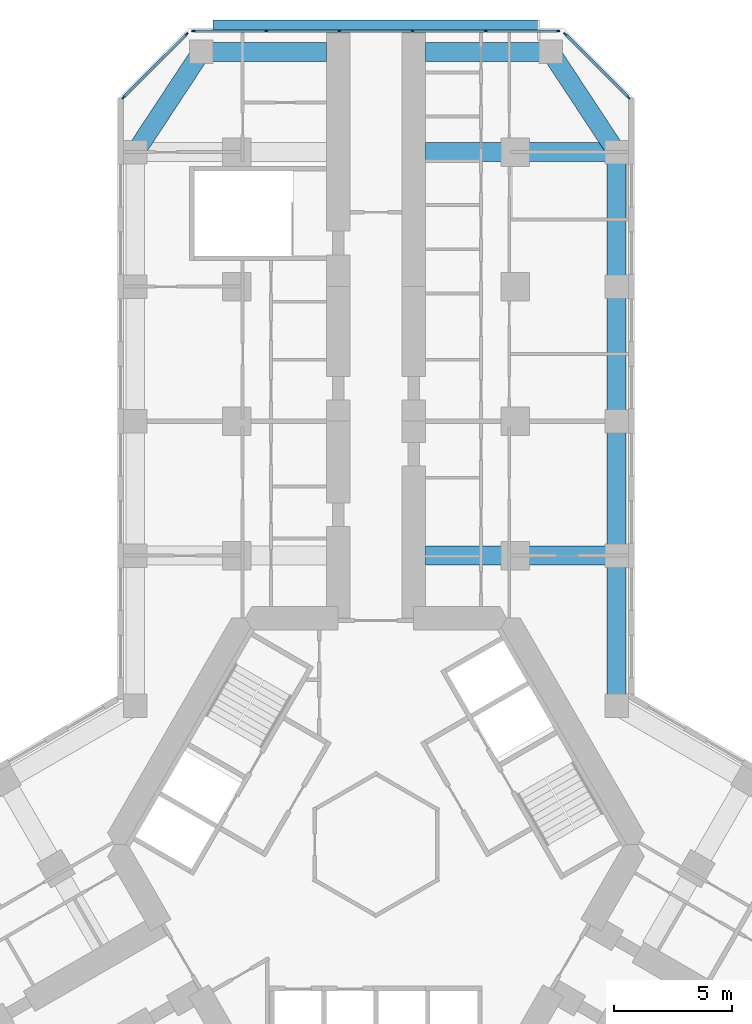
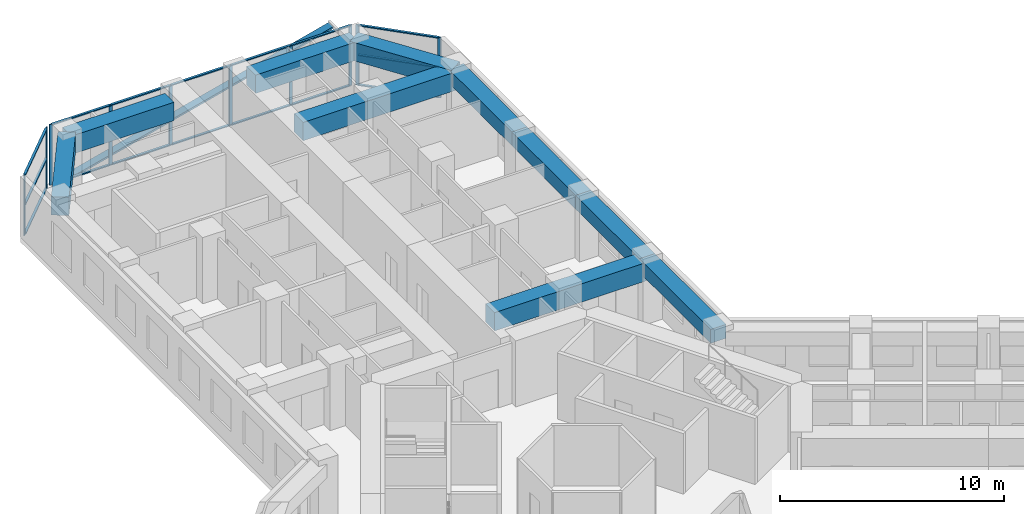
# One storey, part 7 of 21: 27 members, 10 beams, 3 elements without a shape of their own.
"""IFC4 building model written with IfcOpenShell, lengths in metres."""

from ifc_helpers import new_model, si_unit, direction, frame, origin, origin_2d, place, context, subcontext, project, spatial, rectangle, extrude, material, material_profile, profile_set, type_object, element, aggregate, save


model = new_model("IFC4")

# Units and contexts
model_context = context("Model", 3, precision=1e-05, world=origin(), true_north=direction((0.0, 1.0)))
body_context = subcontext(model_context, "Body", "Model", "MODEL_VIEW")
ifc_project = project(units=[si_unit("LENGTHUNIT", "METRE"), si_unit("AREAUNIT", "SQUARE_METRE"), si_unit("VOLUMEUNIT", "CUBIC_METRE"), si_unit("PLANEANGLEUNIT", "RADIAN"), si_unit("MASSUNIT", "GRAM", prefix="KILO")], contexts=[model_context])

# Site, building, storey
site_placement = place(None, origin())
site = spatial("IfcSite", under=ifc_project, at=site_placement, CompositionType="ELEMENT")
building_placement = place(site_placement, origin())
building = spatial("IfcBuilding", under=site, at=building_placement, Name="Kosmar Iwan School Tower", CompositionType="ELEMENT")
storey_placement = place(building_placement, frame((0.0, 0.0, 109.60009765625)))
storey = spatial("IfcBuildingStorey", under=building, at=storey_placement, Name="L27", CompositionType="ELEMENT", Elevation=109.60009765625)

# Beams
ifc_material_1 = material(Name="Concrete C50/60", Category="concrete")
ifc_material_profile_1 = material_profile(ifc_material_1, rectangle(XDim=0.800048828125, YDim=0.75, at=origin_2d()), Name="RC 800x750 + HD 400x634")
ifc_profile_set_1 = profile_set([ifc_material_profile_1], Name="Concrete C50/60")
beam_type_1 = type_object("IfcBeamType", Name="Composite edge beam 800x750 HD 400x634", PredefinedType="BEAM", material=ifc_profile_set_1)
beam_1_placement = place(storey_placement, frame((10.199951171875, 5.888916015625, 2.9248046875), z_axis=(0.0, 1.0, 0.0), x_axis=(-1.0, 0.0, 0.0)))
element("IfcBeam", 1, at=beam_1_placement, inside=storey, type_object=beam_type_1, Name="Edge beam AR1", PredefinedType="BEAM", context=body_context, shape_type="SweptSolid", body=[
    extrude(rectangle(XDim=0.800048828125, YDim=0.75, at=origin_2d()), origin(), (0.0, 0.0, 1.0), 6.361083984375),
])
for number, where, z_axis, x_axis, name in (
    (2, (10.199951171875, 12.25, 2.9248046875), (0.0, 1.0, 0.0), (-1.0, 0.0, 0.0), "Edge beam AR2"),
    (3, (10.199951171875, 17.949951171875, 2.9248046875), (0.0, 1.0, 0.0), (-1.0, 0.0, 0.0), "Edge beam AR3"),
):
    element("IfcBeam", number, at=place(storey_placement, frame(where, z_axis=z_axis, x_axis=x_axis)), inside=storey, type_object=beam_type_1, Name=name, PredefinedType="BEAM", context=body_context, shape_type="SweptSolid", body=[
        extrude(rectangle(XDim=0.800048828125, YDim=0.75, at=origin_2d()), origin(), (0.0, 0.0, 1.0), 5.699951171875),
    ])
beam_2_placement = place(storey_placement, frame((10.199951171875, 23.64990234375, 2.9248046875), z_axis=(0.0, 1.0, 0.0), x_axis=(-1.0, 0.0, 0.0)))
element("IfcBeam", 4, at=beam_2_placement, inside=storey, type_object=beam_type_1, Name="Edge beam AR4", PredefinedType="BEAM", context=body_context, shape_type="SweptSolid", body=[
    extrude(rectangle(XDim=0.800048828125, YDim=0.75, at=origin_2d()), origin(), (0.0, 0.0, 1.0), 5.7001953125),
])
ifc_material_2 = material(Name="Concrete C50/60", Category="concrete")
ifc_material_profile_2 = material_profile(ifc_material_2, rectangle(XDim=0.800048828125, YDim=1.0, at=origin_2d()), Name="RC 800x1000 + HD 400x347")
ifc_profile_set_2 = profile_set([ifc_material_profile_2], Name="Concrete C50/60")
beam_type_2 = type_object("IfcBeamType", Name="Composite tip beam 800x1000 HD 400x347", PredefinedType="BEAM", material=ifc_profile_set_2)
beam_3_placement = place(storey_placement, frame((-10.199951171875, 29.35009765625, 2.7998046875), z_axis=(0.550164383043, 0.835056376319, 0.0), x_axis=(-0.835056376319, 0.550164383043, 0.0)))
element("IfcBeam", 5, at=beam_3_placement, inside=storey, type_object=beam_type_2, Name="Tip beam AL", PredefinedType="BEAM", context=body_context, shape_type="SweptSolid", body=[
    extrude(rectangle(XDim=0.800048828125, YDim=1.0, at=origin_2d()), origin(), (0.0, 0.0, 1.0), 5.08935546875),
])
beam_4_placement = place(storey_placement, frame((-7.39990234375, 33.60009765625, 2.7998046875), z_axis=(1.0, 0.0, 0.0), x_axis=(0.0, 1.0, 0.0)))
element("IfcBeam", 6, at=beam_4_placement, inside=storey, type_object=beam_type_2, Name="Tip beam AL to corridor wall", PredefinedType="BEAM", context=body_context, shape_type="SweptSolid", body=[
    extrude(rectangle(XDim=0.800048828125, YDim=1.0, at=origin_2d()), origin(), (0.0, 0.0, 1.0), 5.2998046875),
])
beam_5_placement = place(storey_placement, frame((10.199951171875, 29.35009765625, 2.7998046875), z_axis=(-0.550164383043, 0.835056376319, 0.0), x_axis=(-0.835056376319, -0.550164383043, 0.0)))
element("IfcBeam", 7, at=beam_5_placement, inside=storey, type_object=beam_type_2, Name="Tip beam AR", PredefinedType="BEAM", context=body_context, shape_type="SweptSolid", body=[
    extrude(rectangle(XDim=0.800048828125, YDim=1.0, at=origin_2d()), origin(), (0.0, 0.0, 1.0), 5.08935546875),
])
beam_6_placement = place(storey_placement, frame((7.39990234375, 33.60009765625, 2.7998046875), z_axis=(-1.0, 0.0, 0.0), x_axis=(0.0, -1.0, 0.0)))
element("IfcBeam", 8, at=beam_6_placement, inside=storey, type_object=beam_type_2, Name="Tip beam AR to corridor wall", PredefinedType="BEAM", context=body_context, shape_type="SweptSolid", body=[
    extrude(rectangle(XDim=0.800048828125, YDim=1.0, at=origin_2d()), origin(), (0.0, 0.0, 1.0), 5.2998046875),
])
ifc_material_3 = material(Name="Concrete C50/60", Category="concrete")
ifc_material_profile_3 = material_profile(ifc_material_3, rectangle(XDim=0.800048828125, YDim=1.0, at=origin_2d()), Name="RC 800x1000 + HD 400x634")
ifc_profile_set_3 = profile_set([ifc_material_profile_3], Name="Concrete C50/60")
beam_type_3 = type_object("IfcBeamType", Name="Composite transverse beam 800x1000 HD 400x634", PredefinedType="BEAM", material=ifc_profile_set_3)
for number, where, z_axis, x_axis, name in (
    (9, (10.199951171875, 12.25, 2.7998046875), (-1.0, 0.0, 0.0), (0.0, -1.0, 0.0), "Transverse beam AR1"),
    (10, (10.199951171875, 29.35009765625, 2.7998046875), (-1.0, 0.0, 0.0), (0.0, -1.0, 0.0), "Transverse beam AR4"),
):
    element("IfcBeam", number, at=place(storey_placement, frame(where, z_axis=z_axis, x_axis=x_axis)), inside=storey, type_object=beam_type_3, Name=name, PredefinedType="BEAM", context=body_context, shape_type="SweptSolid", body=[
        extrude(rectangle(XDim=0.800048828125, YDim=1.0, at=origin_2d()), origin(), (0.0, 0.0, 1.0), 8.099853515625),
    ])

# Member
ifc_material_4 = material(Name="Black anodised aluminium", Category="aluminium")
ifc_material_profile_4 = material_profile(ifc_material_4, rectangle(XDim=0.10009765625, YDim=0.39990234375, at=origin_2d()), Name="FIN 100x400")
ifc_profile_set_4 = profile_set([ifc_material_profile_4], Name="Black anodised aluminium")
member_type_1 = type_object("IfcMemberType", Name="Diagonal fin 100x400", PredefinedType="USERDEFINED", material=ifc_profile_set_4)
member_1_placement = place(storey_placement, frame((-6.898193359375, 34.75, -0.150146484375), z_axis=(0.968452174919, 0.0, 0.249199488152), x_axis=(-0.249199488152, 0.0, 0.968452174919)))
element("IfcMember", 11, at=member_1_placement, inside=storey, type_object=member_type_1, Name="Diagonal fin L27-F08", ObjectType="FIN", PredefinedType="USERDEFINED", context=body_context, shape_type="SweptSolid", body=[
    extrude(rectangle(XDim=0.10009765625, YDim=0.39990234375, at=origin_2d()), origin(), (0.0, 0.0, 1.0), 14.245849609375),
])

# Curtain wall, members
ifc_material_5 = material(Name="Dark glass in black aluminium frame", Category="aluminium")
curtain_wall_type_1 = type_object("IfcCurtainWallType", Name="Chamfer curtain wall dark glass", PredefinedType="USERDEFINED", material=ifc_material_5)
curtain_wall_1_placement = place(storey_placement, origin())
curtain_wall_1 = element("IfcCurtainWall", 12, at=curtain_wall_1_placement, inside=storey, type_object=curtain_wall_type_1, Name="Curtain wall L27-F07", ObjectType="FACETED CURTAIN WALL", PredefinedType="USERDEFINED")
ifc_material_6 = material(Name="Black anodised aluminium", Category="aluminium")
ifc_material_profile_5 = material_profile(ifc_material_6, rectangle(XDim=0.06005859375, YDim=0.159912109375, at=origin_2d()), Name="MULLION 60x160")
ifc_profile_set_5 = profile_set([ifc_material_profile_5], Name="Black anodised aluminium")
member_type_2 = type_object("IfcMemberType", Name="Mullion 60x160", PredefinedType="MULLION", material=ifc_profile_set_5)
member_2_placement = place(storey_placement, frame((10.69775390625, 31.675537109375, 0.0), z_axis=(0.0, 0.0, 1.0), x_axis=(-0.707106781187, -0.707106781187, 0.0)))
member_2 = element("IfcMember", 13, at=member_2_placement, type_object=member_type_2, Name="CW2 mullion 1", PredefinedType="MULLION", context=body_context, shape_type="SweptSolid", body=[
    extrude(rectangle(XDim=0.06005859375, YDim=0.159912109375, at=origin_2d()), origin(), (0.0, 0.0, 1.0), 3.2998046875),
])
member_3_placement = place(storey_placement, frame((8.025390625, 34.34765625, 0.0), z_axis=(0.0, 0.0, 1.0), x_axis=(-0.707106781187, -0.707106781187, 0.0)))
member_3 = element("IfcMember", 14, at=member_3_placement, type_object=member_type_2, Name="CW2 mullion 2", PredefinedType="MULLION", context=body_context, shape_type="SweptSolid", body=[
    extrude(rectangle(XDim=0.06005859375, YDim=0.159912109375, at=origin_2d()), origin(), (0.0, 0.0, 1.0), 3.2998046875),
])

ifc_material_7 = material(Name="Dark glass in black aluminium frame", Category="aluminium")
curtain_wall_type_2 = type_object("IfcCurtainWallType", Name="Tower curtain wall dark glass", PredefinedType="USERDEFINED", material=ifc_material_7)
curtain_wall_2_placement = place(storey_placement, origin())
curtain_wall_2 = element("IfcCurtainWall", 15, at=curtain_wall_2_placement, inside=storey, type_object=curtain_wall_type_2, Name="Curtain wall L27-F08", ObjectType="UNITISED CURTAIN WALL", PredefinedType="USERDEFINED")
member_4_placement = place(storey_placement, frame((7.71826171875, 34.47509765625, 0.0), z_axis=(0.0, 0.0, 1.0), x_axis=(0.0, -1.0, 0.0)))
member_4 = element("IfcMember", 16, at=member_4_placement, type_object=member_type_2, Name="CW1 mullion 1", PredefinedType="MULLION", context=body_context, shape_type="SweptSolid", body=[
    extrude(rectangle(XDim=0.06005859375, YDim=0.159912109375, at=origin_2d()), origin(), (0.0, 0.0, 1.0), 3.2998046875),
])
member_5_placement = place(storey_placement, frame((4.64892578125, 34.47509765625, 0.0), z_axis=(0.0, 0.0, 1.0), x_axis=(0.0, -1.0, 0.0)))
member_5 = element("IfcMember", 17, at=member_5_placement, type_object=member_type_2, Name="CW1 mullion 2", PredefinedType="MULLION", context=body_context, shape_type="SweptSolid", body=[
    extrude(rectangle(XDim=0.06005859375, YDim=0.159912109375, at=origin_2d()), origin(), (0.0, 0.0, 1.0), 3.2998046875),
])
member_6_placement = place(storey_placement, frame((1.549560546875, 34.47509765625, 0.0), z_axis=(0.0, 0.0, 1.0), x_axis=(0.0, -1.0, 0.0)))
member_6 = element("IfcMember", 18, at=member_6_placement, type_object=member_type_2, Name="CW1 mullion 3", PredefinedType="MULLION", context=body_context, shape_type="SweptSolid", body=[
    extrude(rectangle(XDim=0.06005859375, YDim=0.159912109375, at=origin_2d()), origin(), (0.0, 0.0, 1.0), 3.2998046875),
])
member_7_placement = place(storey_placement, frame((-1.549560546875, 34.47509765625, 0.0), z_axis=(0.0, 0.0, 1.0), x_axis=(0.0, -1.0, 0.0)))
member_7 = element("IfcMember", 19, at=member_7_placement, type_object=member_type_2, Name="CW1 mullion 4", PredefinedType="MULLION", context=body_context, shape_type="SweptSolid", body=[
    extrude(rectangle(XDim=0.06005859375, YDim=0.159912109375, at=origin_2d()), origin(), (0.0, 0.0, 1.0), 3.2998046875),
])
member_8_placement = place(storey_placement, frame((-4.64892578125, 34.47509765625, 0.0), z_axis=(0.0, 0.0, 1.0), x_axis=(0.0, -1.0, 0.0)))
member_8 = element("IfcMember", 20, at=member_8_placement, type_object=member_type_2, Name="CW1 mullion 5", PredefinedType="MULLION", context=body_context, shape_type="SweptSolid", body=[
    extrude(rectangle(XDim=0.06005859375, YDim=0.159912109375, at=origin_2d()), origin(), (0.0, 0.0, 1.0), 3.2998046875),
])
member_9_placement = place(storey_placement, frame((-7.71826171875, 34.47509765625, 0.0), z_axis=(0.0, 0.0, 1.0), x_axis=(0.0, -1.0, 0.0)))
member_9 = element("IfcMember", 21, at=member_9_placement, type_object=member_type_2, Name="CW1 mullion 6", PredefinedType="MULLION", context=body_context, shape_type="SweptSolid", body=[
    extrude(rectangle(XDim=0.06005859375, YDim=0.159912109375, at=origin_2d()), origin(), (0.0, 0.0, 1.0), 3.2998046875),
])

curtain_wall_3_placement = place(storey_placement, origin())
curtain_wall_3 = element("IfcCurtainWall", 22, at=curtain_wall_3_placement, inside=storey, type_object=curtain_wall_type_1, Name="Curtain wall L27-F09", ObjectType="FACETED CURTAIN WALL", PredefinedType="USERDEFINED")
member_10_placement = place(storey_placement, frame((-8.025390625, 34.34765625, 0.0), z_axis=(0.0, 0.0, 1.0), x_axis=(0.707106781187, -0.707106781187, 0.0)))
member_10 = element("IfcMember", 23, at=member_10_placement, type_object=member_type_2, Name="CW2 mullion 1", PredefinedType="MULLION", context=body_context, shape_type="SweptSolid", body=[
    extrude(rectangle(XDim=0.06005859375, YDim=0.159912109375, at=origin_2d()), origin(), (0.0, 0.0, 1.0), 3.2998046875),
])
member_11_placement = place(storey_placement, frame((-10.69775390625, 31.675537109375, 0.0), z_axis=(0.0, 0.0, 1.0), x_axis=(0.707106781187, -0.707106781187, 0.0)))
member_11 = element("IfcMember", 24, at=member_11_placement, type_object=member_type_2, Name="CW2 mullion 2", PredefinedType="MULLION", context=body_context, shape_type="SweptSolid", body=[
    extrude(rectangle(XDim=0.06005859375, YDim=0.159912109375, at=origin_2d()), origin(), (0.0, 0.0, 1.0), 3.2998046875),
])

# Member
ifc_material_8 = material(Name="Black anodised aluminium", Category="aluminium")
ifc_material_profile_6 = material_profile(ifc_material_8, rectangle(XDim=0.1201171875, YDim=0.06005859375, at=origin_2d()), Name="TRANSOM 60x120")
ifc_profile_set_6 = profile_set([ifc_material_profile_6], Name="Black anodised aluminium")
member_type_3 = type_object("IfcMemberType", Name="Transom 60x120", PredefinedType="USERDEFINED", material=ifc_profile_set_6)
member_12_placement = place(storey_placement, frame((10.676513671875, 31.69677734375, 0.02978515625), z_axis=(-0.707139603466, 0.707073957383, 0.0), x_axis=(-0.707073957383, -0.707139603466, 0.0)))
member_12 = element("IfcMember", 25, at=member_12_placement, type_object=member_type_3, Name="CW2 transom 1.1", ObjectType="TRANSOM", PredefinedType="USERDEFINED", context=body_context, shape_type="SweptSolid", body=[
    extrude(rectangle(XDim=0.1201171875, YDim=0.06005859375, at=origin_2d()), origin(), (0.0, 0.0, 1.0), 3.718994140625),
])

member_13_placement = place(storey_placement, frame((10.676513671875, 31.69677734375, 1.64990234375), z_axis=(-0.707139603466, 0.707073957383, 0.0), x_axis=(-0.707073957383, -0.707139603466, 0.0)))
member_13 = element("IfcMember", 26, at=member_13_placement, type_object=member_type_3, Name="CW2 transom 1.2", ObjectType="TRANSOM", PredefinedType="USERDEFINED", context=body_context, shape_type="SweptSolid", body=[
    extrude(rectangle(XDim=0.1201171875, YDim=0.06005859375, at=origin_2d()), origin(), (0.0, 0.0, 1.0), 3.718994140625),
])

member_14_placement = place(storey_placement, frame((10.676513671875, 31.69677734375, 3.27001953125), z_axis=(-0.707139603466, 0.707073957383, 0.0), x_axis=(-0.707073957383, -0.707139603466, 0.0)))
member_14 = element("IfcMember", 27, at=member_14_placement, type_object=member_type_3, Name="CW2 transom 1.3", ObjectType="TRANSOM", PredefinedType="USERDEFINED", context=body_context, shape_type="SweptSolid", body=[
    extrude(rectangle(XDim=0.1201171875, YDim=0.06005859375, at=origin_2d()), origin(), (0.0, 0.0, 1.0), 3.718994140625),
])

aggregate(curtain_wall_1, [member_2, member_3, member_12, member_13, member_14])

member_15_placement = place(storey_placement, frame((7.688232421875, 34.47509765625, 0.02978515625), z_axis=(-1.0, 0.0, 0.0), x_axis=(0.0, -1.0, 0.0)))
member_15 = element("IfcMember", 28, at=member_15_placement, type_object=member_type_3, Name="CW1 transom 1.1", ObjectType="TRANSOM", PredefinedType="USERDEFINED", context=body_context, shape_type="SweptSolid", body=[
    extrude(rectangle(XDim=0.1201171875, YDim=0.06005859375, at=origin_2d()), origin(), (0.0, 0.0, 1.0), 3.00927734375),
])

member_16_placement = place(storey_placement, frame((7.688232421875, 34.47509765625, 3.27001953125), z_axis=(-1.0, 0.0, 0.0), x_axis=(0.0, -1.0, 0.0)))
member_16 = element("IfcMember", 29, at=member_16_placement, type_object=member_type_3, Name="CW1 transom 1.2", ObjectType="TRANSOM", PredefinedType="USERDEFINED", context=body_context, shape_type="SweptSolid", body=[
    extrude(rectangle(XDim=0.1201171875, YDim=0.06005859375, at=origin_2d()), origin(), (0.0, 0.0, 1.0), 3.00927734375),
])

member_17_placement = place(storey_placement, frame((4.618896484375, 34.47509765625, 0.02978515625), z_axis=(-1.0, 0.0, 0.0), x_axis=(0.0, -1.0, 0.0)))
member_17 = element("IfcMember", 30, at=member_17_placement, type_object=member_type_3, Name="CW1 transom 2.1", ObjectType="TRANSOM", PredefinedType="USERDEFINED", context=body_context, shape_type="SweptSolid", body=[
    extrude(rectangle(XDim=0.1201171875, YDim=0.06005859375, at=origin_2d()), origin(), (0.0, 0.0, 1.0), 3.039306640625),
])

member_18_placement = place(storey_placement, frame((4.618896484375, 34.47509765625, 3.27001953125), z_axis=(-1.0, 0.0, 0.0), x_axis=(0.0, -1.0, 0.0)))
member_18 = element("IfcMember", 31, at=member_18_placement, type_object=member_type_3, Name="CW1 transom 2.2", ObjectType="TRANSOM", PredefinedType="USERDEFINED", context=body_context, shape_type="SweptSolid", body=[
    extrude(rectangle(XDim=0.1201171875, YDim=0.06005859375, at=origin_2d()), origin(), (0.0, 0.0, 1.0), 3.039306640625),
])

member_19_placement = place(storey_placement, frame((1.51953125, 34.47509765625, 0.02978515625), z_axis=(-1.0, 0.0, 0.0), x_axis=(0.0, -1.0, 0.0)))
member_19 = element("IfcMember", 32, at=member_19_placement, type_object=member_type_3, Name="CW1 transom 3.1", ObjectType="TRANSOM", PredefinedType="USERDEFINED", context=body_context, shape_type="SweptSolid", body=[
    extrude(rectangle(XDim=0.1201171875, YDim=0.06005859375, at=origin_2d()), origin(), (0.0, 0.0, 1.0), 3.0390625),
])

member_20_placement = place(storey_placement, frame((1.51953125, 34.47509765625, 3.27001953125), z_axis=(-1.0, 0.0, 0.0), x_axis=(0.0, -1.0, 0.0)))
member_20 = element("IfcMember", 33, at=member_20_placement, type_object=member_type_3, Name="CW1 transom 3.2", ObjectType="TRANSOM", PredefinedType="USERDEFINED", context=body_context, shape_type="SweptSolid", body=[
    extrude(rectangle(XDim=0.1201171875, YDim=0.06005859375, at=origin_2d()), origin(), (0.0, 0.0, 1.0), 3.0390625),
])

member_21_placement = place(storey_placement, frame((-1.57958984375, 34.47509765625, 0.02978515625), z_axis=(-1.0, 0.0, 0.0), x_axis=(0.0, -1.0, 0.0)))
member_21 = element("IfcMember", 34, at=member_21_placement, type_object=member_type_3, Name="CW1 transom 4.1", ObjectType="TRANSOM", PredefinedType="USERDEFINED", context=body_context, shape_type="SweptSolid", body=[
    extrude(rectangle(XDim=0.1201171875, YDim=0.06005859375, at=origin_2d()), origin(), (0.0, 0.0, 1.0), 3.039306640625),
])

member_22_placement = place(storey_placement, frame((-1.57958984375, 34.47509765625, 3.27001953125), z_axis=(-1.0, 0.0, 0.0), x_axis=(0.0, -1.0, 0.0)))
member_22 = element("IfcMember", 35, at=member_22_placement, type_object=member_type_3, Name="CW1 transom 4.2", ObjectType="TRANSOM", PredefinedType="USERDEFINED", context=body_context, shape_type="SweptSolid", body=[
    extrude(rectangle(XDim=0.1201171875, YDim=0.06005859375, at=origin_2d()), origin(), (0.0, 0.0, 1.0), 3.039306640625),
])

member_23_placement = place(storey_placement, frame((-4.678955078125, 34.47509765625, 0.02978515625), z_axis=(-1.0, 0.0, 0.0), x_axis=(0.0, -1.0, 0.0)))
member_23 = element("IfcMember", 36, at=member_23_placement, type_object=member_type_3, Name="CW1 transom 5.1", ObjectType="TRANSOM", PredefinedType="USERDEFINED", context=body_context, shape_type="SweptSolid", body=[
    extrude(rectangle(XDim=0.1201171875, YDim=0.06005859375, at=origin_2d()), origin(), (0.0, 0.0, 1.0), 3.00927734375),
])

member_24_placement = place(storey_placement, frame((-4.678955078125, 34.47509765625, 3.27001953125), z_axis=(-1.0, 0.0, 0.0), x_axis=(0.0, -1.0, 0.0)))
member_24 = element("IfcMember", 37, at=member_24_placement, type_object=member_type_3, Name="CW1 transom 5.2", ObjectType="TRANSOM", PredefinedType="USERDEFINED", context=body_context, shape_type="SweptSolid", body=[
    extrude(rectangle(XDim=0.1201171875, YDim=0.06005859375, at=origin_2d()), origin(), (0.0, 0.0, 1.0), 3.00927734375),
])

aggregate(curtain_wall_2, [member_4, member_5, member_6, member_7, member_8, member_9, member_15, member_16, member_17, member_18, member_19, member_20, member_21, member_22, member_23, member_24])

member_25_placement = place(storey_placement, frame((-8.046630859375, 34.326416015625, 0.02978515625), z_axis=(-0.707139603466, -0.707073957383, 0.0), x_axis=(0.707073957383, -0.707139603466, 0.0)))
member_25 = element("IfcMember", 38, at=member_25_placement, type_object=member_type_3, Name="CW2 transom 1.1", ObjectType="TRANSOM", PredefinedType="USERDEFINED", context=body_context, shape_type="SweptSolid", body=[
    extrude(rectangle(XDim=0.1201171875, YDim=0.06005859375, at=origin_2d()), origin(), (0.0, 0.0, 1.0), 3.718994140625),
])

member_26_placement = place(storey_placement, frame((-8.046630859375, 34.326416015625, 1.64990234375), z_axis=(-0.707139603466, -0.707073957383, 0.0), x_axis=(0.707073957383, -0.707139603466, 0.0)))
member_26 = element("IfcMember", 39, at=member_26_placement, type_object=member_type_3, Name="CW2 transom 1.2", ObjectType="TRANSOM", PredefinedType="USERDEFINED", context=body_context, shape_type="SweptSolid", body=[
    extrude(rectangle(XDim=0.1201171875, YDim=0.06005859375, at=origin_2d()), origin(), (0.0, 0.0, 1.0), 3.718994140625),
])

member_27_placement = place(storey_placement, frame((-8.046630859375, 34.326416015625, 3.27001953125), z_axis=(-0.707139603466, -0.707073957383, 0.0), x_axis=(0.707073957383, -0.707139603466, 0.0)))
member_27 = element("IfcMember", 40, at=member_27_placement, type_object=member_type_3, Name="CW2 transom 1.3", ObjectType="TRANSOM", PredefinedType="USERDEFINED", context=body_context, shape_type="SweptSolid", body=[
    extrude(rectangle(XDim=0.1201171875, YDim=0.06005859375, at=origin_2d()), origin(), (0.0, 0.0, 1.0), 3.718994140625),
])

aggregate(curtain_wall_3, [member_10, member_11, member_25, member_26, member_27])

save(model, "model.ifc")
